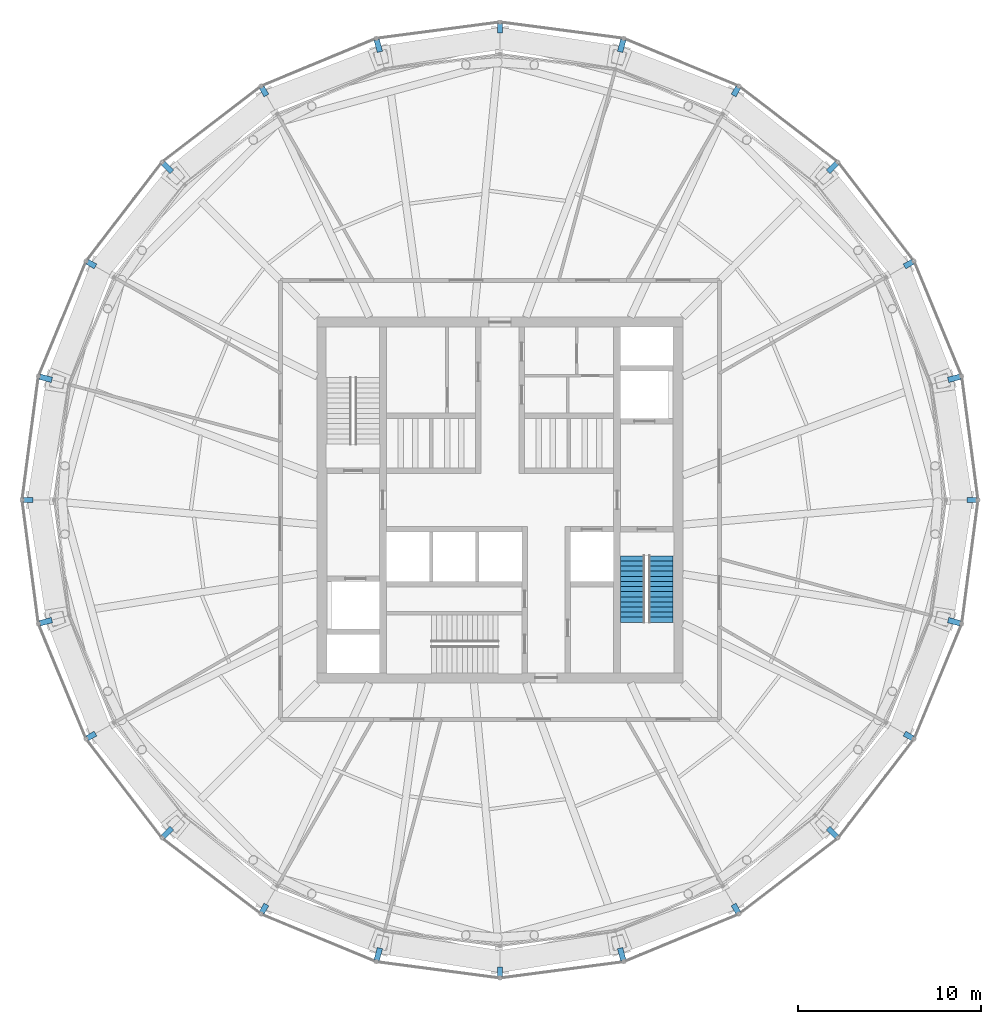
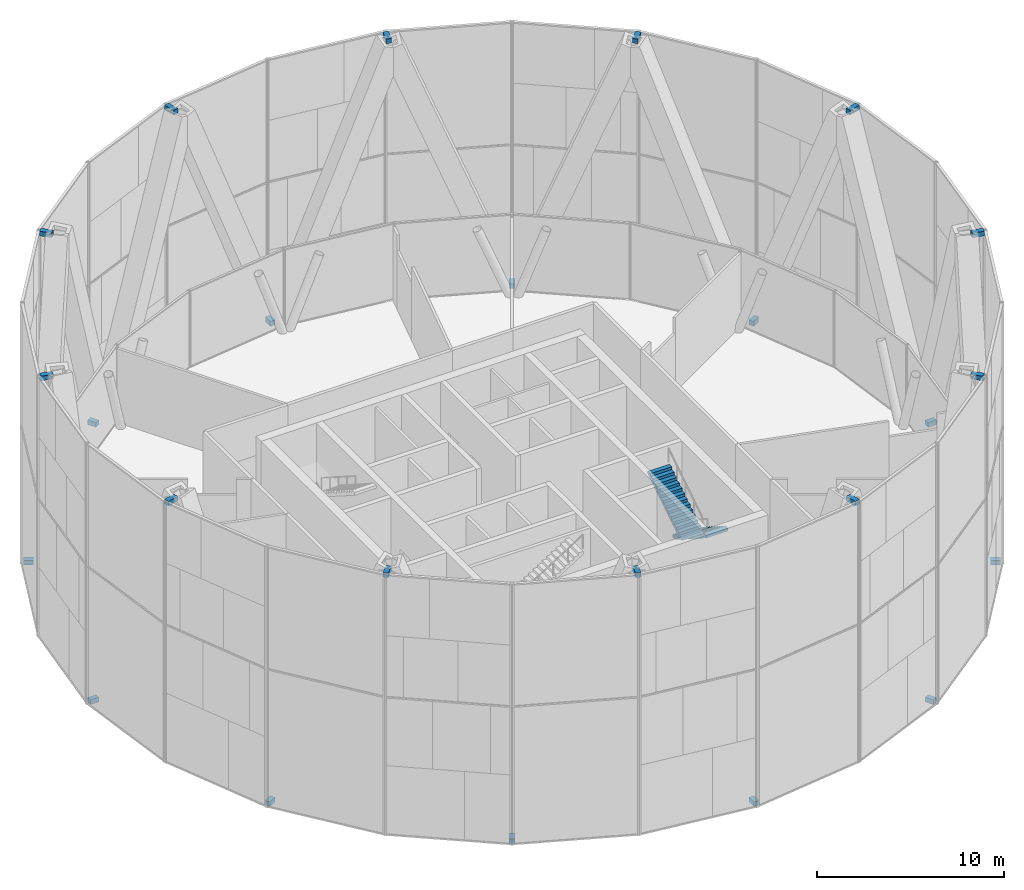
# One storey, part 16 of 17: 24 discrete accessories, 2 stair flights, 1 element without a shape of its own.
"""IFC4 building model written with IfcOpenShell, lengths in metres."""

from ifc_helpers import new_model, si_unit, direction, frame, origin, origin_2d, place, context, subcontext, project, spatial, polyline, rectangle, outline, extrude, material, type_object, element, aggregate, save


model = new_model("IFC4")

# Units and contexts
model_context = context("Model", 3, precision=1e-05, world=origin(), true_north=direction((0.0, 1.0)))
body_context = subcontext(model_context, "Body", "Model", "MODEL_VIEW")
ifc_project = project(units=[si_unit("LENGTHUNIT", "METRE"), si_unit("AREAUNIT", "SQUARE_METRE"), si_unit("VOLUMEUNIT", "CUBIC_METRE"), si_unit("PLANEANGLEUNIT", "RADIAN"), si_unit("MASSUNIT", "GRAM", prefix="KILO")], contexts=[model_context])

# Site, building, storey
site_placement = place(None, origin())
site = spatial("IfcSite", under=ifc_project, at=site_placement, CompositionType="ELEMENT")
building_placement = place(site_placement, origin())
building = spatial("IfcBuilding", under=site, at=building_placement, Name="Golbaran Civic Tower", CompositionType="ELEMENT")
storey_placement = place(building_placement, frame((0.0, 0.0, 150.0)))
storey = spatial("IfcBuildingStorey", under=building, at=storey_placement, Name="L36", CompositionType="ELEMENT", Elevation=150.0)

# Stair, stair flights
ifc_material_1 = material(Name="Concrete C35/45", Category="concrete")
stair_type = type_object("IfcStairType", Name="EXIT STAIR 2850 x 7700, 5000 RISE", PredefinedType="HALF_TURN_STAIR", material=ifc_material_1)
stair_placement = place(storey_placement, origin())
stair = element("IfcStair", 1, at=stair_placement, inside=storey, type_object=stair_type, Name="Stair S2 L36", PredefinedType="HALF_TURN_STAIR")
stair_flight_type = type_object("IfcStairFlightType", Name="STAIR FLIGHT 1325 WIDE", PredefinedType="STRAIGHT", material=ifc_material_1)
stair_flight_1_placement = place(storey_placement, frame((8.78759765625, -3.050048828125, 0.0), z_axis=(0.0, 0.0, 1.0), x_axis=(0.0, -1.0, 0.0)))
stair_flight_1 = element("IfcStairFlight", 2, at=stair_flight_1_placement, type_object=stair_flight_type, Name="ST28577-50 flight 1", NumberOfRisers=14, NumberOfTreads=13, PredefinedType="STRAIGHT", RiserHeight=0.178571429, TreadLength=0.28, context=body_context, shape_type="SweptSolid", body=[
    extrude(outline(polyline([(0.0, 0.0), (0.0, 0.178466796875), (0.280029296875, 0.178466796875), (0.280029296875, 0.357177734375), (0.56005859375, 0.357177734375), (0.56005859375, 0.53564453125), (0.840087890625, 0.53564453125), (0.840087890625, 0.71435546875), (1.1201171875, 0.71435546875), (1.1201171875, 0.892822265625), (1.39990234375, 0.892822265625), (1.39990234375, 1.071533203125), (1.679931640625, 1.071533203125), (1.679931640625, 1.25), (1.9599609375, 1.25), (1.9599609375, 1.428466796875), (2.239990234375, 1.428466796875), (2.239990234375, 1.607177734375), (2.52001953125, 1.607177734375), (2.52001953125, 1.78564453125), (2.800048828125, 1.78564453125), (2.800048828125, 1.96435546875), (3.080078125, 1.96435546875), (3.080078125, 2.142822265625), (3.360107421875, 2.142822265625), (3.360107421875, 2.321533203125), (3.639892578125, 2.321533203125), (3.639892578125, 2.5), (3.639892578125, 2.1435546875), (0.27880859375, 0.0), (0.0, 0.0)])), frame((0.0, 0.66259765625, 0.0), z_axis=(0.0, -1.0, 0.0), x_axis=(1.0, 0.0, 0.0)), (0.0, 0.0, 1.0), 1.324951171875),
])
stair_flight_2_placement = place(storey_placement, frame((7.262451171875, -6.68994140625, 2.5), z_axis=(0.0, 0.0, 1.0), x_axis=(0.0, 1.0, 0.0)))
stair_flight_2 = element("IfcStairFlight", 3, at=stair_flight_2_placement, type_object=stair_flight_type, Name="ST28577-50 flight 2", NumberOfRisers=14, NumberOfTreads=13, PredefinedType="STRAIGHT", RiserHeight=0.178571429, TreadLength=0.28, context=body_context, shape_type="SweptSolid", body=[
    extrude(outline(polyline([(0.0, 0.0), (0.0, 0.178466796875), (0.280029296875, 0.178466796875), (0.280029296875, 0.357177734375), (0.56005859375, 0.357177734375), (0.56005859375, 0.53564453125), (0.840087890625, 0.53564453125), (0.840087890625, 0.71435546875), (1.1201171875, 0.71435546875), (1.1201171875, 0.892822265625), (1.39990234375, 0.892822265625), (1.39990234375, 1.071533203125), (1.679931640625, 1.071533203125), (1.679931640625, 1.25), (1.9599609375, 1.25), (1.9599609375, 1.428466796875), (2.239990234375, 1.428466796875), (2.239990234375, 1.607177734375), (2.52001953125, 1.607177734375), (2.52001953125, 1.78564453125), (2.800048828125, 1.78564453125), (2.800048828125, 1.96435546875), (3.080078125, 1.96435546875), (3.080078125, 2.142822265625), (3.360107421875, 2.142822265625), (3.360107421875, 2.321533203125), (3.639892578125, 2.321533203125), (3.639892578125, 2.5), (3.639892578125, 2.1435546875), (0.27880859375, 0.0), (0.0, 0.0)])), frame((0.0, 0.66259765625, 0.0), z_axis=(0.0, -1.0, 0.0), x_axis=(1.0, 0.0, 0.0)), (0.0, 0.0, 1.0), 1.324951171875),
])
aggregate(stair, [stair_flight_1, stair_flight_2])

# Discrete accessories
ifc_material_2 = material(Name="Steel S355", Category="steel")
discrete_accessory_type = type_object("IfcDiscreteAccessoryType", Name="OUTER SKIN BRACKET", PredefinedType="BRACKET", material=ifc_material_2)
for number, where, z_axis, x_axis, name in (
    (4, (25.7939453125, 0.0, -0.7099609375), (0.0, 0.0, 1.0), (1.0, 0.0, 0.0), "Outer skin bracket L36 node 1"),
    (5, (22.33837890625, 12.89697265625, -0.7099609375), (0.0, 0.0, 1.0), (0.866025403784, 0.5, 0.0), "Outer skin bracket L36 node 2"),
    (6, (12.89697265625, 22.33837890625, -0.7099609375), (0.0, 0.0, 1.0), (0.5, 0.866025403784, 0.0), "Outer skin bracket L36 node 3"),
    (7, (0.0, 25.7939453125, -0.7099609375), (0.0, 0.0, 1.0), (0.0, 1.0, 0.0), "Outer skin bracket L36 node 4"),
    (8, (-12.89697265625, 22.33837890625, -0.7099609375), (0.0, 0.0, 1.0), (-0.5, 0.866025403784, 0.0), "Outer skin bracket L36 node 5"),
    (9, (-22.33837890625, 12.89697265625, -0.7099609375), (0.0, 0.0, 1.0), (-0.866025403784, 0.5, 0.0), "Outer skin bracket L36 node 6"),
    (10, (-25.7939453125, 0.0, -0.7099609375), (0.0, 0.0, 1.0), (-1.0, 0.0, 0.0), "Outer skin bracket L36 node 7"),
    (11, (-22.33837890625, -12.89697265625, -0.7099609375), (0.0, 0.0, 1.0), (-0.866025403784, -0.5, 0.0), "Outer skin bracket L36 node 8"),
    (12, (-12.89697265625, -22.33837890625, -0.7099609375), (0.0, 0.0, 1.0), (-0.5, -0.866025403784, 0.0), "Outer skin bracket L36 node 9"),
    (13, (0.0, -25.7939453125, -0.7099609375), (0.0, 0.0, 1.0), (0.0, -1.0, 0.0), "Outer skin bracket L36 node 10"),
    (14, (12.89697265625, -22.33837890625, -0.7099609375), (0.0, 0.0, 1.0), (0.5, -0.866025403784, 0.0), "Outer skin bracket L36 node 11"),
    (15, (22.33837890625, -12.89697265625, -0.7099609375), (0.0, 0.0, 1.0), (0.866025403784, -0.5, 0.0), "Outer skin bracket L36 node 12"),
):
    element("IfcDiscreteAccessory", number, at=place(storey_placement, frame(where, z_axis=z_axis, x_axis=x_axis)), inside=storey, type_object=discrete_accessory_type, Name=name, PredefinedType="BRACKET", context=body_context, shape_type="SweptSolid", body=[
        extrude(rectangle(XDim=0.52001953125, YDim=0.300048828125, at=origin_2d()), origin(), (0.0, 0.0, 1.0), 0.300048828125),
    ])
for number, where, z_axis, x_axis, name in (
    (16, (24.83251953125, 6.65380859375, 15.98974609375), (0.0, 0.0, 1.0), (0.965925826289, 0.258819045103, 0.0), "Outer skin head bracket L36 node 1"),
    (17, (18.1787109375, 18.1787109375, 15.98974609375), (0.0, 0.0, 1.0), (0.707106781187, 0.707106781187, 0.0), "Outer skin head bracket L36 node 2"),
    (18, (6.65380859375, 24.83251953125, 15.98974609375), (0.0, 0.0, 1.0), (0.258819045103, 0.965925826289, 0.0), "Outer skin head bracket L36 node 3"),
    (19, (-6.65380859375, 24.83251953125, 15.98974609375), (0.0, 0.0, 1.0), (-0.258819045103, 0.965925826289, 0.0), "Outer skin head bracket L36 node 4"),
    (20, (-18.1787109375, 18.1787109375, 15.98974609375), (0.0, 0.0, 1.0), (-0.707106781187, 0.707106781187, 0.0), "Outer skin head bracket L36 node 5"),
    (21, (-24.83251953125, 6.65380859375, 15.98974609375), (0.0, 0.0, 1.0), (-0.965925826289, 0.258819045103, 0.0), "Outer skin head bracket L36 node 6"),
    (22, (-24.83251953125, -6.65380859375, 15.98974609375), (0.0, 0.0, 1.0), (-0.965925826289, -0.258819045103, 0.0), "Outer skin head bracket L36 node 7"),
    (23, (-18.1787109375, -18.1787109375, 15.98974609375), (0.0, 0.0, 1.0), (-0.707106781187, -0.707106781187, 0.0), "Outer skin head bracket L36 node 8"),
    (24, (-6.65380859375, -24.83251953125, 15.98974609375), (0.0, 0.0, 1.0), (-0.258819045103, -0.965925826289, 0.0), "Outer skin head bracket L36 node 9"),
    (25, (6.65380859375, -24.83251953125, 15.98974609375), (0.0, 0.0, 1.0), (0.258819045103, -0.965925826289, 0.0), "Outer skin head bracket L36 node 10"),
    (26, (18.1787109375, -18.1787109375, 15.98974609375), (0.0, 0.0, 1.0), (0.707106781187, -0.707106781187, 0.0), "Outer skin head bracket L36 node 11"),
    (27, (24.83251953125, -6.65380859375, 15.98974609375), (0.0, 0.0, 1.0), (0.965925826289, -0.258819045103, 0.0), "Outer skin head bracket L36 node 12"),
):
    element("IfcDiscreteAccessory", number, at=place(storey_placement, frame(where, z_axis=z_axis, x_axis=x_axis)), inside=storey, type_object=discrete_accessory_type, Name=name, PredefinedType="BRACKET", context=body_context, shape_type="SweptSolid", body=[
        extrude(rectangle(XDim=0.69091796875, YDim=0.300048828125, at=origin_2d()), origin(), (0.0, 0.0, 1.0), 0.300048828125),
    ])

save(model, "model.ifc")
